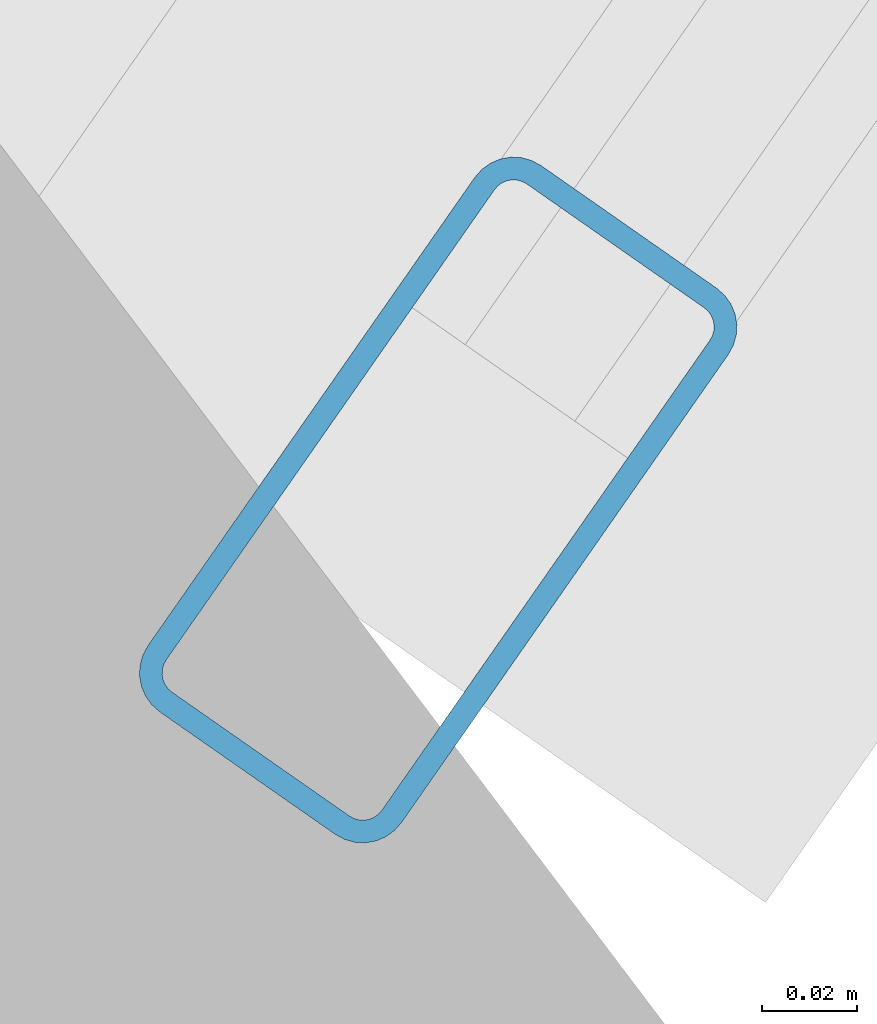
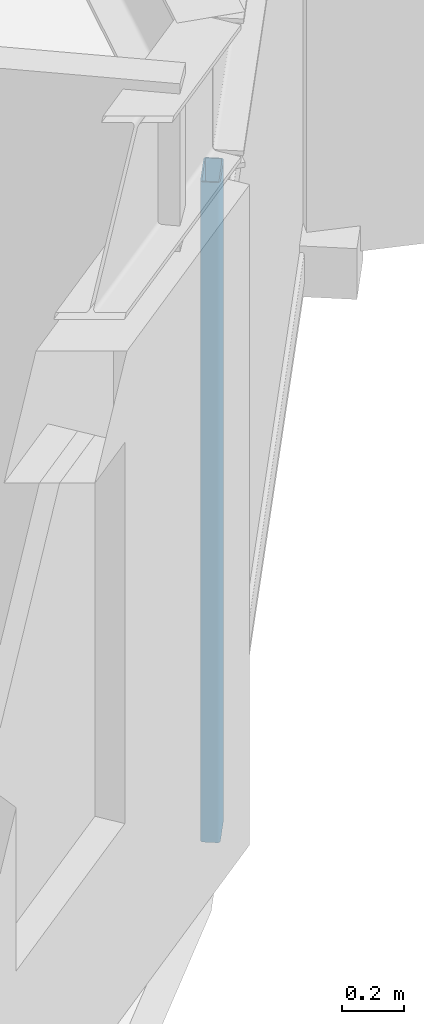
# One storey, part 14 of 34: 1 member, 1 element without a shape of its own.
"""IFC4 building model written with IfcOpenShell, lengths in metres."""

from ifc_helpers import new_model, si_unit, direction, frame, origin, origin_2d, place, context, subcontext, project, spatial, hollow_rectangle, extrude, material, layer, layer_set, material_profile, profile_set, type_object, element, aggregate, save


model = new_model("IFC4")

# Units and contexts
model_context = context("Model", 3, precision=1e-05, world=origin(), true_north=direction((0.0, 1.0)))
body_context = subcontext(model_context, "Body", "Model", "MODEL_VIEW")
ifc_project = project(units=[si_unit("LENGTHUNIT", "METRE"), si_unit("AREAUNIT", "SQUARE_METRE"), si_unit("VOLUMEUNIT", "CUBIC_METRE"), si_unit("PLANEANGLEUNIT", "RADIAN"), si_unit("MASSUNIT", "GRAM", prefix="KILO")], contexts=[model_context])

# Site, building, storey
site_placement = place(None, origin())
site = spatial("IfcSite", under=ifc_project, at=site_placement, CompositionType="ELEMENT")
building_placement = place(site_placement, origin())
building = spatial("IfcBuilding", under=site, at=building_placement, Name="Soratama Intermodal Tower", CompositionType="ELEMENT")
storey_placement = place(building_placement, frame((0.0, 0.0, 233.800048828125)))
storey = spatial("IfcBuildingStorey", under=building, at=storey_placement, Name="L59", CompositionType="ELEMENT", Elevation=233.800048828125)

# Curtain wall, member
ifc_material_1 = material(Name="Double-glazed aluminium curtain wall", Category="aluminium")
ifc_layer = layer(ifc_material_1, 0.159912109375)
ifc_layer_set = layer_set([ifc_layer], Name="Double-glazed aluminium curtain wall")
curtain_wall_type = type_object("IfcCurtainWallType", Name="CW-SYS-5", PredefinedType="NOTDEFINED", material=ifc_layer_set)
curtain_wall_placement = place(storey_placement, origin())
curtain_wall = element("IfcCurtainWall", 1, at=curtain_wall_placement, inside=storey, type_object=curtain_wall_type, Name="L59 Faceted Curtain Wall F08", PredefinedType="NOTDEFINED")
ifc_material_2 = material(Name="Anodised aluminium AA 6063-T6", Category="aluminium")
ifc_material_profile = material_profile(ifc_material_2, hollow_rectangle(XDim=0.06494140625, YDim=0.139892578125, WallThickness=0.0048828125, InnerFilletRadius=0.0048828125, OuterFilletRadius=0.010009765625, at=origin_2d()), Name="CWM140X65X5")
ifc_profile_set = profile_set([ifc_material_profile], Name="Anodised aluminium AA 6063-T6")
member_type = type_object("IfcMemberType", Name="MT-CWM-5", PredefinedType="MULLION", material=ifc_profile_set)
member_placement = place(storey_placement, frame((58.51123046875, 9.62939453125, 0.0), z_axis=(0.0, 0.0, 1.0), x_axis=(-0.819951485288, 0.572433019465, 0.0)))
member = element("IfcMember", 2, at=member_placement, type_object=member_type, Name="CW-5 mullion 1", PredefinedType="MULLION", context=body_context, shape_type="SweptSolid", body=[
    extrude(hollow_rectangle(XDim=0.06494140625, YDim=0.139892578125, WallThickness=0.0048828125, InnerFilletRadius=0.0048828125, OuterFilletRadius=0.010009765625, at=origin_2d()), origin(), (0.0, 0.0, 1.0), 2.598876953125),
])
aggregate(curtain_wall, [member])

save(model, "model.ifc")
